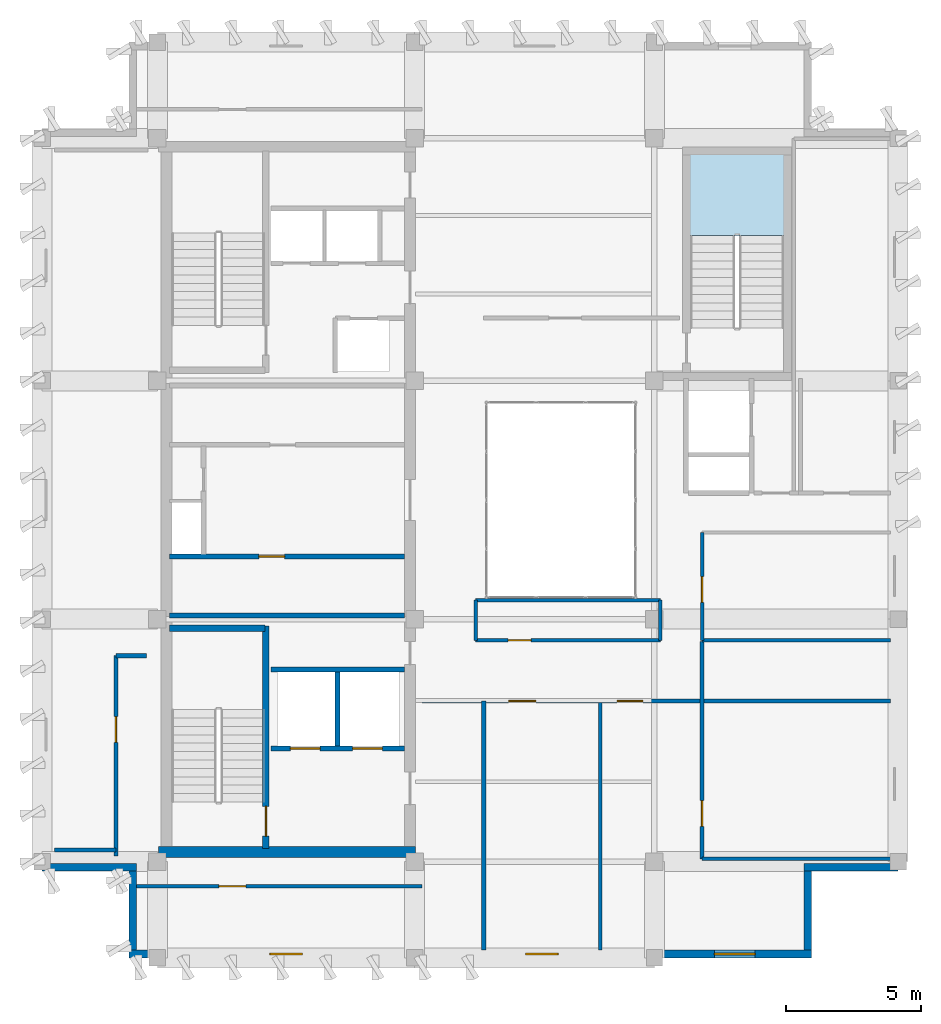
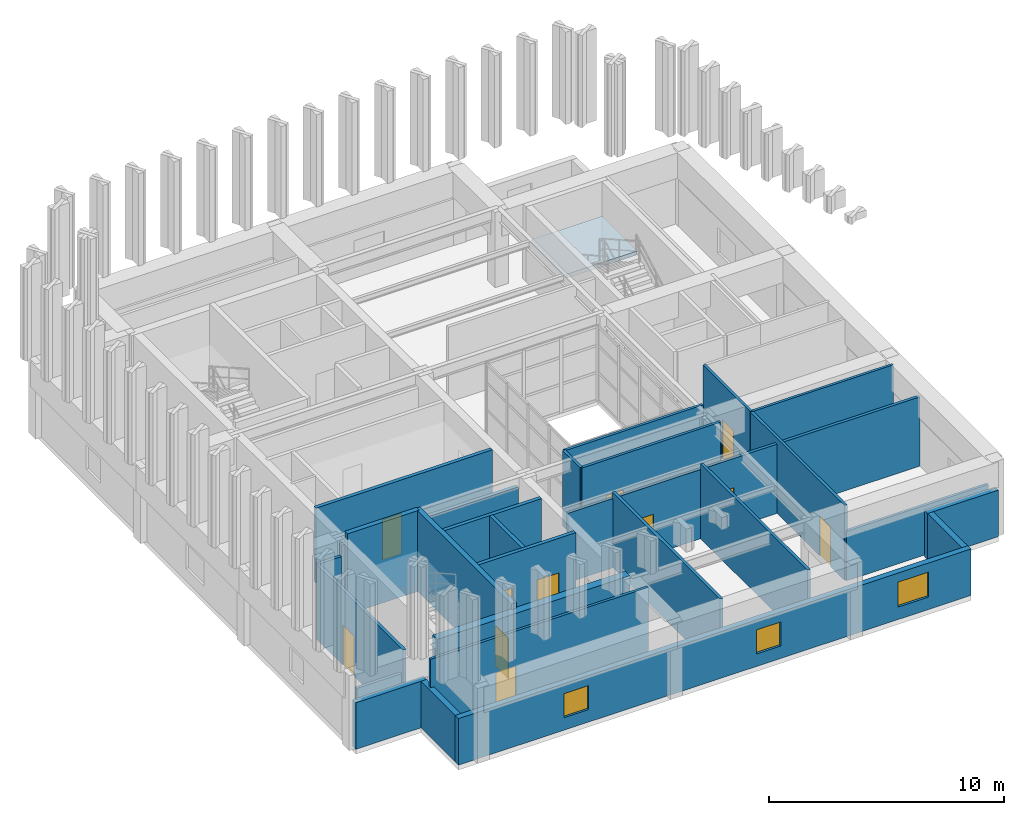
# One storey, part 6 of 11: 28 walls, 11 doors, 3 windows, 1 slab, 14 openings, 1 element without a shape of its own.
"""IFC4 building model written with IfcOpenShell, lengths in metres."""

from ifc_helpers import new_model, si_unit, direction, frame, frame_2d, origin, place, context, subcontext, project, spatial, polyline, rectangle, outline, extrude, material, layer, layer_set, type_object, element, fill, aggregate, save


model = new_model("IFC4")

# Units and contexts
model_context = context("Model", 3, precision=1e-05, world=origin(), true_north=direction((0.0, 1.0)))
body_context = subcontext(model_context, "Body", "Model", "MODEL_VIEW")
ifc_project = project(units=[si_unit("LENGTHUNIT", "METRE"), si_unit("AREAUNIT", "SQUARE_METRE"), si_unit("VOLUMEUNIT", "CUBIC_METRE"), si_unit("PLANEANGLEUNIT", "RADIAN"), si_unit("MASSUNIT", "GRAM", prefix="KILO")], contexts=[model_context])

# Site, building, storey
site_placement = place(None, origin())
site = spatial("IfcSite", under=ifc_project, at=site_placement, CompositionType="ELEMENT")
building_placement = place(site_placement, origin())
building = spatial("IfcBuilding", under=site, at=building_placement, Name="Kundavana Baori Tower", CompositionType="ELEMENT")
storey_placement = place(building_placement, frame((0.0, 0.0, 350.5)))
storey = spatial("IfcBuildingStorey", under=building, at=storey_placement, Name="L87", CompositionType="ELEMENT", Elevation=350.5)

# Stair, slab
ifc_material_1 = material(Name="Concrete C40/50", Category="concrete")
stair_type = type_object("IfcStairType", Name="STR-DOG-1650", PredefinedType="HALF_TURN_STAIR", material=ifc_material_1)
stair_placement = place(storey_placement, origin())
stair = element("IfcStair", 1, at=stair_placement, inside=storey, type_object=stair_type, Name="L87 Protected Exit Stair ST3", PredefinedType="HALF_TURN_STAIR")
ifc_material_2 = material(Name="Concrete C40/50", Category="concrete")
ifc_layer_1 = layer(ifc_material_2, 0.199951171875, Name="SLB-LND-200")
ifc_layer_set_1 = layer_set([ifc_layer_1], Name="Concrete C40/50")
slab_type = type_object("IfcSlabType", Name="SLB-LND-200", PredefinedType="LANDING", material=ifc_layer_set_1)
slab_placement = place(storey_placement, frame((0.0, 0.0, 1.89990234375)))
slab = element("IfcSlab", 2, at=slab_placement, type_object=slab_type, Name="ST3 landing 1", PredefinedType="LANDING", context=body_context, shape_type="SweptSolid", body=[
    extrude(outline(polyline([(38.580078125, 38.360107421875), (38.580078125, 41.35009765625), (35.1201171875, 41.35009765625), (35.1201171875, 38.360107421875), (38.580078125, 38.360107421875)])), origin(), (0.0, 0.0, 1.0), 0.2001953125),
])
aggregate(stair, [slab])

# Wall
ifc_material_3 = material(Name="Concrete C50/60", Category="concrete")
ifc_layer_2 = layer(ifc_material_3, 0.39990234375, Name="WL-CORE-400")
ifc_layer_set_2 = layer_set([ifc_layer_2], Name="Concrete C50/60")
wall_type_1 = type_object("IfcWallType", Name="WL-CORE-400", PredefinedType="SHEAR", material=ifc_layer_set_2)
wall_1_placement = place(storey_placement, frame((15.5, 15.610107421875, 0.0), z_axis=(0.0, 0.0, 1.0), x_axis=(1.0, 0.0, 0.0)))
element("IfcWall", 3, at=wall_1_placement, inside=storey, type_object=wall_type_1, Name="L87 Offset Core South Shear Wall", PredefinedType="SHEAR", context=body_context, shape_type="SweptSolid", body=[
    extrude(rectangle(XDim=9.47998046875, YDim=0.39990234375, at=frame_2d((4.739990234375, 0.0))), origin(), (0.0, 0.0, 1.0), 3.89990234375),
])

# Wall, opening, door
wall_2_placement = place(storey_placement, frame((19.4599609375, 15.739990234375, 0.0), z_axis=(0.0, 0.0, 1.0), x_axis=(0.0, 1.0, 0.0)))
wall_2 = element("IfcWall", 4, at=wall_2_placement, inside=storey, type_object=wall_type_1, Name="WL-L87-ST1-E", PredefinedType="SHEAR", context=body_context, shape_type="SweptSolid", body=[
    extrude(rectangle(XDim=8.199951171875, YDim=0.239990234375, at=frame_2d((4.10009765625, 0.0))), origin(), (0.0, 0.0, 1.0), 4.199951171875),
])
opening_1_placement = place(wall_2_placement, frame((0.449951171875, 0.0, 0.0)))
opening_1 = element("IfcOpeningElement", 5, at=opening_1_placement, cuts=wall_2, Name="Opening FD-110", PredefinedType="OPENING", context=body_context, shape_type="SweptSolid", body=[
    extrude(rectangle(XDim=1.10009765625, YDim=2.10009765625, at=frame_2d((0.550048828125, 1.050048828125))), frame((0.0, 0.1298828125, 0.0), z_axis=(0.0, -1.0, 0.0), x_axis=(1.0, 0.0, 0.0)), (0.0, 0.0, 1.0), 0.260009765625),
])
ifc_material_4 = material(Name="Galvanised Steel Fire-Rated Door Leaf", Category="steel")
door_type_1 = type_object("IfcDoorType", Name="DR-FD120-1100", OperationType="NOTDEFINED", PredefinedType="DOOR", material=ifc_material_4)
door_1_placement = place(opening_1_placement, origin())
door_1 = element("IfcDoor", 6, at=door_1_placement, inside=storey, type_object=door_type_1, Name="DR-L87-ST1", OperationType="SINGLE_SWING_LEFT", OverallHeight=2.10009765625, OverallWidth=1.10009765625, PredefinedType="DOOR", context=body_context, shape_type="SweptSolid", body=[
    extrude(rectangle(XDim=1.10009765625, YDim=2.10009765625, at=frame_2d((0.550048828125, 1.050048828125))), frame((0.0, 0.02490234375, 0.0), z_axis=(0.0, -1.0, 0.0), x_axis=(1.0, 0.0, 0.0)), (0.0, 0.0, 1.0), 0.050048828125),
])
fill(opening_1, door_1)

# Wall
wall_3_placement = place(storey_placement, frame((15.89990234375, 23.860107421875, 0.0), z_axis=(0.0, 0.0, 1.0), x_axis=(1.0, 0.0, 0.0)))
element("IfcWall", 7, at=wall_3_placement, inside=storey, type_object=wall_type_1, Name="WL-L87-ST1-N", PredefinedType="SHEAR", context=body_context, shape_type="SweptSolid", body=[
    extrude(rectangle(XDim=3.52001953125, YDim=0.239990234375, at=frame_2d((1.760009765625, 0.0))), origin(), (0.0, 0.0, 1.0), 4.199951171875),
])

# Wall, openings, windows
ifc_material_5 = material(Name="Red-Buff Dholpur Sandstone Cladding on Concrete C40/50", Category="masonry")
ifc_layer_3 = layer(ifc_material_5, 0.280029296875, Name="WL-EXT-SAND-280")
ifc_layer_set_3 = layer_set([ifc_layer_3], Name="Red-Buff Dholpur Sandstone Cladding on Concrete C40/50")
wall_type_2 = type_object("IfcWallType", Name="WL-EXT-SAND-280", PredefinedType="STANDARD", material=ifc_layer_set_3)
wall_4_placement = place(storey_placement, frame((14.39990234375, 11.840087890625, 0.0), z_axis=(0.0, 0.0, 1.0), x_axis=(1.0, 0.0, 0.0)))
wall_4 = element("IfcWall", 8, at=wall_4_placement, inside=storey, type_object=wall_type_2, Name="L87 Exterior Insulated Facade Wall 01", PredefinedType="STANDARD", context=body_context, shape_type="SweptSolid", body=[
    extrude(rectangle(XDim=25.2001953125, YDim=0.280029296875, at=frame_2d((12.60009765625, 0.0))), origin(), (0.0, 0.0, 1.0), 2.419921875),
])
opening_2_placement = place(wall_4_placement, frame((5.199951171875, 0.0, 0.64990234375)))
opening_2 = element("IfcOpeningElement", 9, at=opening_2_placement, cuts=wall_4, Name="Opening W-12", PredefinedType="OPENING", context=body_context, shape_type="SweptSolid", body=[
    extrude(rectangle(XDim=1.199951171875, YDim=1.25, at=frame_2d((0.60009765625, 0.625))), frame((0.0, 0.14990234375, 0.0), z_axis=(0.0, -1.0, 0.0), x_axis=(1.0, 0.0, 0.0)), (0.0, 0.0, 1.0), 0.300048828125),
])
opening_3_placement = place(wall_4_placement, frame((14.64990234375, 0.0, 0.64990234375)))
opening_3 = element("IfcOpeningElement", 10, at=opening_3_placement, cuts=wall_4, Name="Opening W-12", PredefinedType="OPENING", context=body_context, shape_type="SweptSolid", body=[
    extrude(rectangle(XDim=1.199951171875, YDim=1.25, at=frame_2d((0.60009765625, 0.625))), frame((0.0, 0.14990234375, 0.0), z_axis=(0.0, -1.0, 0.0), x_axis=(1.0, 0.0, 0.0)), (0.0, 0.0, 1.0), 0.300048828125),
])
opening_4_placement = place(wall_4_placement, frame((21.614990234375, 0.0, 0.64990234375)))
opening_4 = element("IfcOpeningElement", 11, at=opening_4_placement, cuts=wall_4, Name="Opening W-11", PredefinedType="OPENING", context=body_context, shape_type="SweptSolid", body=[
    extrude(rectangle(XDim=1.5, YDim=1.300048828125, at=frame_2d((0.75, 0.64990234375))), frame((0.0, 0.14990234375, 0.0), z_axis=(0.0, -1.0, 0.0), x_axis=(1.0, 0.0, 0.0)), (0.0, 0.0, 1.0), 0.300048828125),
])
ifc_material_6 = material(Name="Double-Glazed Solar-Control Low-E Insulated Glass", Category="glass")
window_type_1 = type_object("IfcWindowType", Name="WIN-TRN-1200x1250", PartitioningType="SINGLE_PANEL", PredefinedType="WINDOW", material=ifc_material_6)
window_1_placement = place(opening_2_placement, origin())
window_1 = element("IfcWindow", 12, at=window_1_placement, inside=storey, type_object=window_type_1, Name="L87 Recessed Loggia Window S-1", OverallHeight=1.25, OverallWidth=1.199951171875, PartitioningType="SINGLE_PANEL", PredefinedType="WINDOW", context=body_context, shape_type="SweptSolid", body=[
    extrude(rectangle(XDim=1.199951171875, YDim=1.25, at=frame_2d((0.60009765625, 0.625))), frame((0.0, 0.030029296875, 0.0), z_axis=(0.0, -1.0, 0.0), x_axis=(1.0, 0.0, 0.0)), (0.0, 0.0, 1.0), 0.06005859375),
])
fill(opening_2, window_1)
window_2_placement = place(opening_3_placement, origin())
window_2 = element("IfcWindow", 13, at=window_2_placement, inside=storey, type_object=window_type_1, Name="L87 Recessed Loggia Window S-3", OverallHeight=1.25, OverallWidth=1.199951171875, PartitioningType="SINGLE_PANEL", PredefinedType="WINDOW", context=body_context, shape_type="SweptSolid", body=[
    extrude(rectangle(XDim=1.199951171875, YDim=1.25, at=frame_2d((0.60009765625, 0.625))), frame((0.0, 0.030029296875, 0.0), z_axis=(0.0, -1.0, 0.0), x_axis=(1.0, 0.0, 0.0)), (0.0, 0.0, 1.0), 0.06005859375),
])
fill(opening_3, window_2)
ifc_material_7 = material(Name="Double-Glazed Solar-Control Low-E Insulated Glass", Category="glass")
window_type_2 = type_object("IfcWindowType", Name="WIN-TRN-1500x1300", PartitioningType="SINGLE_PANEL", PredefinedType="WINDOW", material=ifc_material_7)
window_3_placement = place(opening_4_placement, origin())
window_3 = element("IfcWindow", 14, at=window_3_placement, inside=storey, type_object=window_type_2, Name="L87 Recessed Loggia Window S-4", OverallHeight=1.300048828125, OverallWidth=1.5, PartitioningType="SINGLE_PANEL", PredefinedType="WINDOW", context=body_context, shape_type="SweptSolid", body=[
    extrude(rectangle(XDim=1.5, YDim=1.300048828125, at=frame_2d((0.75, 0.64990234375))), frame((0.0, 0.030029296875, 0.0), z_axis=(0.0, -1.0, 0.0), x_axis=(1.0, 0.0, 0.0)), (0.0, 0.0, 1.0), 0.06005859375),
])
fill(opening_4, window_3)

# Walls
wall_5_placement = place(storey_placement, frame((39.4599609375, 11.97998046875, 0.0), z_axis=(0.0, 0.0, 1.0), x_axis=(0.0, 1.0, 0.0)))
element("IfcWall", 15, at=wall_5_placement, inside=storey, type_object=wall_type_2, Name="L87 Exterior Insulated Facade Wall 02", PredefinedType="STANDARD", context=body_context, shape_type="SweptSolid", body=[
    extrude(rectangle(XDim=2.919921875, YDim=0.280029296875, at=frame_2d((1.4599609375, 0.0))), origin(), (0.0, 0.0, 1.0), 2.419921875),
])
for number, where, z_axis, x_axis, name in (
    (16, (39.320068359375, 15.0400390625, 0.0), (0.0, 0.0, 1.0), (1.0, 0.0, 0.0), "L87 Exterior Insulated Facade Wall 03"),
    (17, (11.199951171875, 15.0400390625, 0.0), (0.0, 0.0, 1.0), (1.0, 0.0, 0.0), "L87 Exterior Insulated Facade Wall 11"),
):
    element("IfcWall", number, at=place(storey_placement, frame(where, z_axis=z_axis, x_axis=x_axis)), inside=storey, type_object=wall_type_2, Name=name, PredefinedType="STANDARD", context=body_context, shape_type="SweptSolid", body=[
        extrude(rectangle(XDim=3.47998046875, YDim=0.280029296875, at=frame_2d((1.739990234375, 0.0))), origin(), (0.0, 0.0, 1.0), 2.419921875),
    ])
wall_6_placement = place(storey_placement, frame((14.5400390625, 14.89990234375, 0.0), z_axis=(0.0, 0.0, 1.0), x_axis=(0.0, -1.0, 0.0)))
element("IfcWall", 18, at=wall_6_placement, inside=storey, type_object=wall_type_2, Name="L87 Exterior Insulated Facade Wall 12", PredefinedType="STANDARD", context=body_context, shape_type="SweptSolid", body=[
    extrude(rectangle(XDim=2.919921875, YDim=0.280029296875, at=frame_2d((1.4599609375, 0.0))), origin(), (0.0, 0.0, 1.0), 2.419921875),
])

# Wall, opening, door
ifc_material_8 = material(Name="Acoustic Gypsum Plasterboard on Galvanised Steel Studs", Category="steel")
ifc_layer_4 = layer(ifc_material_8, 0.135009765625, Name="WL-PART-135")
ifc_layer_set_4 = layer_set([ifc_layer_4], Name="Acoustic Gypsum Plasterboard on Galvanised Steel Studs")
wall_type_3 = type_object("IfcWallType", Name="WL-PART-135", PredefinedType="PARTITIONING", material=ifc_layer_set_4)
wall_7_placement = place(storey_placement, frame((27.199951171875, 23.419921875, 0.0), z_axis=(0.0, 0.0, 1.0), x_axis=(1.0, 0.0, 0.0)))
wall_7 = element("IfcWall", 19, at=wall_7_placement, inside=storey, type_object=wall_type_3, Name="WL-L87-ALS", PredefinedType="PARTITIONING", context=body_context, shape_type="SweptSolid", body=[
    extrude(rectangle(XDim=6.820068359375, YDim=0.135009765625, at=frame_2d((3.41015625, 0.0))), origin(), (0.0, 0.0, 1.0), 3.89990234375),
])
opening_5_placement = place(wall_7_placement, frame((1.199951171875, 0.0, 0.0)))
opening_5 = element("IfcOpeningElement", 20, at=opening_5_placement, cuts=wall_7, Name="Opening WD-085", PredefinedType="OPENING", context=body_context, shape_type="SweptSolid", body=[
    extrude(rectangle(XDim=0.85009765625, YDim=2.050048828125, at=frame_2d((0.425048828125, 1.02490234375))), frame((0.0, 0.07763671875, 0.0), z_axis=(0.0, -1.0, 0.0), x_axis=(1.0, 0.0, 0.0)), (0.0, 0.0, 1.0), 0.155029296875),
])
ifc_material_9 = material(Name="Engineered Teak Solid-Core Timber Veneer", Category="wood")
door_type_2 = type_object("IfcDoorType", Name="DR-WET-850", OperationType="NOTDEFINED", PredefinedType="DOOR", material=ifc_material_9)
door_2_placement = place(opening_5_placement, origin())
door_2 = element("IfcDoor", 21, at=door_2_placement, inside=storey, type_object=door_type_2, Name="DR-L87-OALC", OperationType="SINGLE_SWING_LEFT", OverallHeight=2.050048828125, OverallWidth=0.85009765625, PredefinedType="DOOR", context=body_context, shape_type="SweptSolid", body=[
    extrude(rectangle(XDim=0.85009765625, YDim=2.050048828125, at=frame_2d((0.425048828125, 1.02490234375))), frame((0.0, 0.02490234375, 0.0), z_axis=(0.0, -1.0, 0.0), x_axis=(1.0, 0.0, 0.0)), (0.0, 0.0, 1.0), 0.050048828125),
])
fill(opening_5, door_2)

# Walls
wall_8_placement = place(storey_placement, frame((27.199951171875, 24.89990234375, 0.0), z_axis=(0.0, 0.0, 1.0), x_axis=(1.0, 0.0, 0.0)))
element("IfcWall", 22, at=wall_8_placement, inside=storey, type_object=wall_type_3, Name="WL-L87-ALN", PredefinedType="PARTITIONING", context=body_context, shape_type="SweptSolid", body=[
    extrude(rectangle(XDim=6.820068359375, YDim=0.135009765625, at=frame_2d((3.41015625, 0.0))), origin(), (0.0, 0.0, 1.0), 3.89990234375),
])
wall_9_placement = place(storey_placement, frame((27.199951171875, 23.419921875, 0.0), z_axis=(0.0, 0.0, 1.0), x_axis=(0.0, 1.0, 0.0)))
element("IfcWall", 23, at=wall_9_placement, inside=storey, type_object=wall_type_3, Name="WL-L87-ALW", PredefinedType="PARTITIONING", context=body_context, shape_type="SweptSolid", body=[
    extrude(rectangle(XDim=1.47998046875, YDim=0.135009765625, at=frame_2d((0.739990234375, 0.0))), origin(), (0.0, 0.0, 1.0), 3.89990234375),
])
wall_10_placement = place(storey_placement, frame((34.02001953125, 23.419921875, 0.0), z_axis=(0.0, 0.0, 1.0), x_axis=(0.0, 1.0, 0.0)))
element("IfcWall", 24, at=wall_10_placement, inside=storey, type_object=wall_type_3, Name="WL-L87-ALE", PredefinedType="PARTITIONING", context=body_context, shape_type="SweptSolid", body=[
    extrude(rectangle(XDim=1.47998046875, YDim=0.135009765625, at=frame_2d((0.739990234375, 0.0))), origin(), (0.0, 0.0, 1.0), 3.300048828125),
])

# Wall, opening, door
wall_11_placement = place(storey_placement, frame((14.52001953125, 14.340087890625, 0.0), z_axis=(0.0, 0.0, 1.0), x_axis=(1.0, 0.0, 0.0)))
wall_11 = element("IfcWall", 25, at=wall_11_placement, inside=storey, type_object=wall_type_3, Name="WL-L87-SC", PredefinedType="PARTITIONING", context=body_context, shape_type="SweptSolid", body=[
    extrude(rectangle(XDim=10.699951171875, YDim=0.135009765625, at=frame_2d((5.35009765625, 0.0))), origin(), (0.0, 0.0, 1.0), 3.89990234375),
])
opening_6_placement = place(wall_11_placement, frame((3.199951171875, 0.0, 0.0)))
opening_6 = element("IfcOpeningElement", 26, at=opening_6_placement, cuts=wall_11, Name="Opening ID-100", PredefinedType="OPENING", context=body_context, shape_type="SweptSolid", body=[
    extrude(rectangle(XDim=1.0, YDim=2.080078125, at=frame_2d((0.5, 1.0400390625))), frame((0.0, 0.07763671875, 0.0), z_axis=(0.0, -1.0, 0.0), x_axis=(1.0, 0.0, 0.0)), (0.0, 0.0, 1.0), 0.155029296875),
])
ifc_material_10 = material(Name="Engineered Teak Solid-Core Timber Veneer", Category="wood")
door_type_3 = type_object("IfcDoorType", Name="DR-INT-1000", OperationType="NOTDEFINED", PredefinedType="DOOR", material=ifc_material_10)
door_3_placement = place(opening_6_placement, frame((1.0, 0.0, 0.0), z_axis=(0.0, 0.0, 1.0), x_axis=(-1.0, 0.0, 0.0)))
door_3 = element("IfcDoor", 27, at=door_3_placement, inside=storey, type_object=door_type_3, Name="DR-L87-OBSW", OperationType="SINGLE_SWING_LEFT", OverallHeight=2.080078125, OverallWidth=1.0, PredefinedType="DOOR", context=body_context, shape_type="SweptSolid", body=[
    extrude(rectangle(XDim=1.0, YDim=2.080078125, at=frame_2d((0.5, 1.0400390625))), frame((0.0, 0.02490234375, 0.0), z_axis=(0.0, -1.0, 0.0), x_axis=(1.0, 0.0, 0.0)), (0.0, 0.0, 1.0), 0.050048828125),
])
fill(opening_6, door_3)

# Wall
wall_12_placement = place(storey_placement, frame((31.800048828125, 11.97998046875, 0.0), z_axis=(0.0, 0.0, 1.0), x_axis=(0.0, 1.0, 0.0)))
element("IfcWall", 28, at=wall_12_placement, inside=storey, type_object=wall_type_3, Name="WL-L87-OBSD", PredefinedType="PARTITIONING", context=body_context, shape_type="SweptSolid", body=[
    extrude(rectangle(XDim=9.14013671875, YDim=0.135009765625, at=frame_2d((4.570068359375, 0.0))), origin(), (0.0, 0.0, 1.0), 3.89990234375),
])

# Wall, opening, door
wall_13_placement = place(storey_placement, frame((35.56005859375, 15.35009765625, 0.0), z_axis=(0.0, 0.0, 1.0), x_axis=(0.0, 1.0, 0.0)))
wall_13 = element("IfcWall", 29, at=wall_13_placement, inside=storey, type_object=wall_type_3, Name="WL-L87-SEW", PredefinedType="PARTITIONING", context=body_context, shape_type="SweptSolid", body=[
    extrude(rectangle(XDim=8.02978515625, YDim=0.135009765625, at=frame_2d((4.014892578125, 0.0))), origin(), (0.0, 0.0, 1.0), 3.89990234375),
])
opening_7_placement = place(wall_13_placement, frame((1.199951171875, 0.0, 0.0)))
opening_7 = element("IfcOpeningElement", 30, at=opening_7_placement, cuts=wall_13, Name="Opening ID-095", PredefinedType="OPENING", context=body_context, shape_type="SweptSolid", body=[
    extrude(rectangle(XDim=0.949951171875, YDim=2.080078125, at=frame_2d((0.47509765625, 1.0400390625))), frame((0.0, 0.07763671875, 0.0), z_axis=(0.0, -1.0, 0.0), x_axis=(1.0, 0.0, 0.0)), (0.0, 0.0, 1.0), 0.155029296875),
])
ifc_material_11 = material(Name="Engineered Teak Solid-Core Timber Veneer", Category="wood")
door_type_4 = type_object("IfcDoorType", Name="DR-INT-950", OperationType="NOTDEFINED", PredefinedType="DOOR", material=ifc_material_11)
door_4_placement = place(opening_7_placement, origin())
door_4 = element("IfcDoor", 31, at=door_4_placement, inside=storey, type_object=door_type_4, Name="DR-L87-OBSE", OperationType="SINGLE_SWING_LEFT", OverallHeight=2.080078125, OverallWidth=0.949951171875, PredefinedType="DOOR", context=body_context, shape_type="SweptSolid", body=[
    extrude(rectangle(XDim=0.949951171875, YDim=2.080078125, at=frame_2d((0.47509765625, 1.0400390625))), frame((0.0, 0.02490234375, 0.0), z_axis=(0.0, -1.0, 0.0), x_axis=(1.0, 0.0, 0.0)), (0.0, 0.0, 1.0), 0.050048828125),
])
fill(opening_7, door_4)

# Wall
wall_14_placement = place(storey_placement, frame((35.56005859375, 15.35009765625, 0.0), z_axis=(0.0, 0.0, 1.0), x_axis=(1.0, 0.0, 0.0)))
element("IfcWall", 32, at=wall_14_placement, inside=storey, type_object=wall_type_3, Name="WL-L87-SES", PredefinedType="PARTITIONING", context=body_context, shape_type="SweptSolid", body=[
    extrude(rectangle(XDim=6.9599609375, YDim=0.135009765625, at=frame_2d((3.47998046875, 0.0))), origin(), (0.0, 0.0, 1.0), 2.580078125),
])

# Wall, opening, door
ifc_material_12 = material(Name="Fire-Rated Gypsum Drywall on Galvanised Steel Studs", Category="steel")
ifc_layer_5 = layer(ifc_material_12, 0.14990234375, Name="WL-PART-150")
ifc_layer_set_5 = layer_set([ifc_layer_5], Name="Fire-Rated Gypsum Drywall on Galvanised Steel Studs")
wall_type_4 = type_object("IfcWallType", Name="WL-PART-150", PredefinedType="PARTITIONING", material=ifc_layer_set_5)
wall_15_placement = place(storey_placement, frame((13.919921875, 15.449951171875, 0.0), z_axis=(0.0, 0.0, 1.0), x_axis=(0.0, 1.0, 0.0)))
wall_15 = element("IfcWall", 33, at=wall_15_placement, inside=storey, type_object=wall_type_4, Name="WL-L87-SLWE", PredefinedType="PARTITIONING", context=body_context, shape_type="SweptSolid", body=[
    extrude(rectangle(XDim=7.400146484375, YDim=0.14990234375, at=frame_2d((3.7001953125, 0.0))), origin(), (0.0, 0.0, 1.0), 3.89990234375),
])
opening_8_placement = place(wall_15_placement, frame((4.199951171875, 0.0, 0.0)))
opening_8 = element("IfcOpeningElement", 34, at=opening_8_placement, cuts=wall_15, Name="Opening ID-095", PredefinedType="OPENING", context=body_context, shape_type="SweptSolid", body=[
    extrude(rectangle(XDim=0.949951171875, YDim=2.080078125, at=frame_2d((0.47509765625, 1.0400390625))), frame((0.0, 0.0849609375, 0.0), z_axis=(0.0, -1.0, 0.0), x_axis=(1.0, 0.0, 0.0)), (0.0, 0.0, 1.0), 0.169921875),
])
door_5_placement = place(opening_8_placement, origin())
door_5 = element("IfcDoor", 35, at=door_5_placement, inside=storey, type_object=door_type_4, Name="DR-L87-SLW", OperationType="SINGLE_SWING_LEFT", OverallHeight=2.080078125, OverallWidth=0.949951171875, PredefinedType="DOOR", context=body_context, shape_type="SweptSolid", body=[
    extrude(rectangle(XDim=0.949951171875, YDim=2.080078125, at=frame_2d((0.47509765625, 1.0400390625))), frame((0.0, 0.02490234375, 0.0), z_axis=(0.0, -1.0, 0.0), x_axis=(1.0, 0.0, 0.0)), (0.0, 0.0, 1.0), 0.050048828125),
])
fill(opening_8, door_5)

# Walls
wall_16_placement = place(storey_placement, frame((13.919921875, 22.85009765625, 0.0), z_axis=(0.0, 0.0, 1.0), x_axis=(1.0, 0.0, 0.0)))
element("IfcWall", 36, at=wall_16_placement, inside=storey, type_object=wall_type_4, Name="WL-L87-SLWN1", PredefinedType="PARTITIONING", context=body_context, shape_type="SweptSolid", body=[
    extrude(rectangle(XDim=1.130126953125, YDim=0.14990234375, at=frame_2d((0.56494140625, 0.0))), origin(), (0.0, 0.0, 1.0), 3.89990234375),
])
wall_17_placement = place(storey_placement, frame((11.659912109375, 15.679931640625, 0.0), z_axis=(0.0, 0.0, 1.0), x_axis=(1.0, 0.0, 0.0)))
element("IfcWall", 37, at=wall_17_placement, inside=storey, type_object=wall_type_4, Name="WL-L87-SLWS", PredefinedType="PARTITIONING", context=body_context, shape_type="SweptSolid", body=[
    extrude(rectangle(XDim=2.260009765625, YDim=0.14990234375, at=frame_2d((1.1298828125, 0.0))), origin(), (0.0, 0.0, 1.0), 2.580078125),
])

# Wall, openings, doors
wall_18_placement = place(storey_placement, frame((25.219970703125, 21.179931640625, 0.0), z_axis=(0.0, 0.0, 1.0), x_axis=(1.0, 0.0, 0.0)))
wall_18 = element("IfcWall", 38, at=wall_18_placement, inside=storey, type_object=wall_type_4, Name="WL-L87-SLS", PredefinedType="PARTITIONING", context=body_context, shape_type="SweptSolid", body=[
    extrude(rectangle(XDim=17.300048828125, YDim=0.14990234375, at=frame_2d((8.64990234375, 0.0))), origin(), (0.0, 0.0, 1.0), 3.60009765625),
])
opening_9_placement = place(wall_18_placement, frame((3.199951171875, 0.0, 0.0)))
opening_9 = element("IfcOpeningElement", 39, at=opening_9_placement, cuts=wall_18, Name="Opening ID-100", PredefinedType="OPENING", context=body_context, shape_type="SweptSolid", body=[
    extrude(rectangle(XDim=1.0, YDim=2.080078125, at=frame_2d((0.5, 1.0400390625))), frame((0.0, 0.0849609375, 0.0), z_axis=(0.0, -1.0, 0.0), x_axis=(1.0, 0.0, 0.0)), (0.0, 0.0, 1.0), 0.169921875),
])
opening_10_placement = place(wall_18_placement, frame((7.199951171875, 0.0, 0.0)))
opening_10 = element("IfcOpeningElement", 40, at=opening_10_placement, cuts=wall_18, Name="Opening ID-095", PredefinedType="OPENING", context=body_context, shape_type="SweptSolid", body=[
    extrude(rectangle(XDim=0.949951171875, YDim=2.080078125, at=frame_2d((0.47509765625, 1.0400390625))), frame((0.0, 0.0849609375, 0.0), z_axis=(0.0, -1.0, 0.0), x_axis=(1.0, 0.0, 0.0)), (0.0, 0.0, 1.0), 0.169921875),
])
door_6_placement = place(opening_9_placement, frame((1.0, 0.0, 0.0), z_axis=(0.0, 0.0, 1.0), x_axis=(-1.0, 0.0, 0.0)))
door_6 = element("IfcDoor", 41, at=door_6_placement, inside=storey, type_object=door_type_3, Name="DR-L87-OBSS1", OperationType="SINGLE_SWING_LEFT", OverallHeight=2.080078125, OverallWidth=1.0, PredefinedType="DOOR", context=body_context, shape_type="SweptSolid", body=[
    extrude(rectangle(XDim=1.0, YDim=2.080078125, at=frame_2d((0.5, 1.0400390625))), frame((0.0, 0.02490234375, 0.0), z_axis=(0.0, -1.0, 0.0), x_axis=(1.0, 0.0, 0.0)), (0.0, 0.0, 1.0), 0.050048828125),
])
fill(opening_9, door_6)
door_7_placement = place(opening_10_placement, frame((0.949951171875, 0.0, 0.0), z_axis=(0.0, 0.0, 1.0), x_axis=(-1.0, 0.0, 0.0)))
door_7 = element("IfcDoor", 42, at=door_7_placement, inside=storey, type_object=door_type_4, Name="DR-L87-OBSS2", OperationType="SINGLE_SWING_RIGHT", OverallHeight=2.080078125, OverallWidth=0.949951171875, PredefinedType="DOOR", context=body_context, shape_type="SweptSolid", body=[
    extrude(rectangle(XDim=0.949951171875, YDim=2.080078125, at=frame_2d((0.47509765625, 1.0400390625))), frame((0.0, 0.02490234375, 0.0), z_axis=(0.0, -1.0, 0.0), x_axis=(1.0, 0.0, 0.0)), (0.0, 0.0, 1.0), 0.050048828125),
])
fill(opening_10, door_7)

# Wall
wall_19_placement = place(storey_placement, frame((27.5, 11.97998046875, 0.0), z_axis=(0.0, 0.0, 1.0), x_axis=(0.0, 1.0, 0.0)))
element("IfcWall", 43, at=wall_19_placement, inside=storey, type_object=wall_type_4, Name="WL-L87-SLSW", PredefinedType="PARTITIONING", context=body_context, shape_type="SweptSolid", body=[
    extrude(rectangle(XDim=9.199951171875, YDim=0.14990234375, at=frame_2d((4.60009765625, 0.0))), origin(), (0.0, 0.0, 1.0), 3.89990234375),
])

# Wall, openings, doors
ifc_material_13 = material(Name="Autoclaved Aerated Concrete Blockwork Masonry", Category="masonry")
ifc_layer_6 = layer(ifc_material_13, 0.179931640625, Name="WL-SHAFT-180")
ifc_layer_set_6 = layer_set([ifc_layer_6], Name="Autoclaved Aerated Concrete Blockwork Masonry")
wall_type_5 = type_object("IfcWallType", Name="WL-SHAFT-180", PredefinedType="SOLIDWALL", material=ifc_layer_set_6)
wall_20_placement = place(storey_placement, frame((19.639892578125, 19.419921875, 0.0), z_axis=(0.0, 0.0, 1.0), x_axis=(1.0, 0.0, 0.0)))
wall_20 = element("IfcWall", 44, at=wall_20_placement, inside=storey, type_object=wall_type_5, Name="WL-L87-FFL-S", PredefinedType="SOLIDWALL", context=body_context, shape_type="SweptSolid", body=[
    extrude(rectangle(XDim=4.940185546875, YDim=0.179931640625, at=frame_2d((2.47021484375, 0.0))), origin(), (0.0, 0.0, 1.0), 3.89990234375),
])
opening_11_placement = place(wall_20_placement, frame((0.719970703125, 0.0, 0.0)))
opening_11 = element("IfcOpeningElement", 45, at=opening_11_placement, cuts=wall_20, Name="Opening LD-110", PredefinedType="OPENING", context=body_context, shape_type="SweptSolid", body=[
    extrude(rectangle(XDim=1.10009765625, YDim=2.10009765625, at=frame_2d((0.550048828125, 1.050048828125))), frame((0.0, 0.10009765625, 0.0), z_axis=(0.0, -1.0, 0.0), x_axis=(1.0, 0.0, 0.0)), (0.0, 0.0, 1.0), 0.199951171875),
])
opening_12_placement = place(wall_20_placement, frame((3.02001953125, 0.0, 0.0)))
opening_12 = element("IfcOpeningElement", 46, at=opening_12_placement, cuts=wall_20, Name="Opening LD-110", PredefinedType="OPENING", context=body_context, shape_type="SweptSolid", body=[
    extrude(rectangle(XDim=1.10009765625, YDim=2.10009765625, at=frame_2d((0.550048828125, 1.050048828125))), frame((0.0, 0.10009765625, 0.0), z_axis=(0.0, -1.0, 0.0), x_axis=(1.0, 0.0, 0.0)), (0.0, 0.0, 1.0), 0.199951171875),
])
ifc_material_14 = material(Name="Galvanised Steel Fire-Rated Door Leaf", Category="steel")
door_type_5 = type_object("IfcDoorType", Name="DR-SLIDE-LD1100", OperationType="NOTDEFINED", PredefinedType="DOOR", material=ifc_material_14)
door_8_placement = place(opening_11_placement, origin())
door_8 = element("IfcDoor", 47, at=door_8_placement, inside=storey, type_object=door_type_5, Name="DR-L87-LD-FFL-1", OperationType="DOUBLE_DOOR_SLIDING", OverallHeight=2.10009765625, OverallWidth=1.10009765625, PredefinedType="DOOR", context=body_context, shape_type="SweptSolid", body=[
    extrude(rectangle(XDim=1.10009765625, YDim=2.10009765625, at=frame_2d((0.550048828125, 1.050048828125))), frame((0.0, 0.02490234375, 0.0), z_axis=(0.0, -1.0, 0.0), x_axis=(1.0, 0.0, 0.0)), (0.0, 0.0, 1.0), 0.050048828125),
])
fill(opening_11, door_8)
door_9_placement = place(opening_12_placement, origin())
door_9 = element("IfcDoor", 48, at=door_9_placement, inside=storey, type_object=door_type_5, Name="DR-L87-LD-FFL-2", OperationType="DOUBLE_DOOR_SLIDING", OverallHeight=2.10009765625, OverallWidth=1.10009765625, PredefinedType="DOOR", context=body_context, shape_type="SweptSolid", body=[
    extrude(rectangle(XDim=1.10009765625, YDim=2.10009765625, at=frame_2d((0.550048828125, 1.050048828125))), frame((0.0, 0.02490234375, 0.0), z_axis=(0.0, -1.0, 0.0), x_axis=(1.0, 0.0, 0.0)), (0.0, 0.0, 1.0), 0.050048828125),
])
fill(opening_12, door_9)

# Walls
wall_21_placement = place(storey_placement, frame((22.10009765625, 19.510009765625, 0.0), z_axis=(0.0, 0.0, 1.0), x_axis=(0.0, 1.0, 0.0)))
element("IfcWall", 49, at=wall_21_placement, inside=storey, type_object=wall_type_5, Name="WL-L87-FFL-MID", PredefinedType="SOLIDWALL", context=body_context, shape_type="SweptSolid", body=[
    extrude(rectangle(XDim=2.739990234375, YDim=0.179931640625, at=frame_2d((1.3701171875, 0.0))), origin(), (0.0, 0.0, 1.0), 3.89990234375),
])
wall_22_placement = place(storey_placement, frame((19.639892578125, 22.340087890625, 0.0), z_axis=(0.0, 0.0, 1.0), x_axis=(1.0, 0.0, 0.0)))
element("IfcWall", 50, at=wall_22_placement, inside=storey, type_object=wall_type_5, Name="WL-L87-FFL-N", PredefinedType="SOLIDWALL", context=body_context, shape_type="SweptSolid", body=[
    extrude(rectangle(XDim=4.940185546875, YDim=0.179931640625, at=frame_2d((2.47021484375, 0.0))), origin(), (0.0, 0.0, 1.0), 3.89990234375),
])

# Wall, opening, door
wall_23_placement = place(storey_placement, frame((15.89990234375, 26.52001953125, 0.0), z_axis=(0.0, 0.0, 1.0), x_axis=(1.0, 0.0, 0.0)))
wall_23 = element("IfcWall", 51, at=wall_23_placement, inside=storey, type_object=wall_type_5, Name="WL-L87-LPLOW-N", PredefinedType="SOLIDWALL", context=body_context, shape_type="SweptSolid", body=[
    extrude(rectangle(XDim=8.68017578125, YDim=0.179931640625, at=frame_2d((4.340087890625, 0.0))), origin(), (0.0, 0.0, 1.0), 3.89990234375),
])
opening_13_placement = place(wall_23_placement, frame((3.300048828125, 0.0, 0.0)))
opening_13 = element("IfcOpeningElement", 52, at=opening_13_placement, cuts=wall_23, Name="Opening FD-095", PredefinedType="OPENING", context=body_context, shape_type="SweptSolid", body=[
    extrude(rectangle(XDim=0.949951171875, YDim=2.10009765625, at=frame_2d((0.47509765625, 1.050048828125))), frame((0.0, 0.10009765625, 0.0), z_axis=(0.0, -1.0, 0.0), x_axis=(1.0, 0.0, 0.0)), (0.0, 0.0, 1.0), 0.199951171875),
])
ifc_material_15 = material(Name="Engineered Teak Fire-Rated Timber Door Leaf", Category="wood")
door_type_6 = type_object("IfcDoorType", Name="DR-FD60-950", OperationType="NOTDEFINED", PredefinedType="DOOR", material=ifc_material_15)
door_10_placement = place(opening_13_placement, origin())
door_10 = element("IfcDoor", 53, at=door_10_placement, inside=storey, type_object=door_type_6, Name="DR-L87-FRLOW1", OperationType="SINGLE_SWING_LEFT", OverallHeight=2.10009765625, OverallWidth=0.949951171875, PredefinedType="DOOR", context=body_context, shape_type="SweptSolid", body=[
    extrude(rectangle(XDim=0.949951171875, YDim=2.10009765625, at=frame_2d((0.47509765625, 1.050048828125))), frame((0.0, 0.02490234375, 0.0), z_axis=(0.0, -1.0, 0.0), x_axis=(1.0, 0.0, 0.0)), (0.0, 0.0, 1.0), 0.050048828125),
])
fill(opening_13, door_10)

# Walls
wall_24_placement = place(storey_placement, frame((15.89990234375, 24.330078125, 0.0), z_axis=(0.0, 0.0, 1.0), x_axis=(1.0, 0.0, 0.0)))
element("IfcWall", 54, at=wall_24_placement, inside=storey, type_object=wall_type_5, Name="WL-L87-LPLOW-S", PredefinedType="SOLIDWALL", context=body_context, shape_type="SweptSolid", body=[
    extrude(rectangle(XDim=8.68017578125, YDim=0.179931640625, at=frame_2d((4.340087890625, 0.0))), origin(), (0.0, 0.0, 1.0), 3.300048828125),
])
ifc_material_16 = material(Name="Autoclaved Aerated Concrete Blockwork Masonry", Category="masonry")
ifc_layer_7 = layer(ifc_material_16, 0.125, Name="WL-WET-120")
ifc_layer_set_7 = layer_set([ifc_layer_7], Name="Autoclaved Aerated Concrete Blockwork Masonry")
wall_type_6 = type_object("IfcWallType", Name="WL-WET-120", PredefinedType="PLUMBINGWALL", material=ifc_layer_set_7)
wall_25_placement = place(storey_placement, frame((35.56005859375, 23.419921875, 0.0), z_axis=(0.0, 0.0, 1.0), x_axis=(1.0, 0.0, 0.0)))
element("IfcWall", 55, at=wall_25_placement, inside=storey, type_object=wall_type_6, Name="WL-L87-WCS", PredefinedType="PLUMBINGWALL", context=body_context, shape_type="SweptSolid", body=[
    extrude(rectangle(XDim=6.9599609375, YDim=0.125, at=frame_2d((3.47998046875, 0.0))), origin(), (0.0, 0.0, 1.0), 3.89990234375),
])

# Wall, opening, door
wall_26_placement = place(storey_placement, frame((35.56005859375, 23.419921875, 0.0), z_axis=(0.0, 0.0, 1.0), x_axis=(0.0, 1.0, 0.0)))
wall_26 = element("IfcWall", 56, at=wall_26_placement, inside=storey, type_object=wall_type_6, Name="WL-L87-WCW", PredefinedType="PLUMBINGWALL", context=body_context, shape_type="SweptSolid", body=[
    extrude(rectangle(XDim=3.97998046875, YDim=0.125, at=frame_2d((1.989990234375, 0.0))), origin(), (0.0, 0.0, 1.0), 3.89990234375),
])
opening_14_placement = place(wall_26_placement, frame((1.39990234375, 0.0, 0.0)))
opening_14 = element("IfcOpeningElement", 57, at=opening_14_placement, cuts=wall_26, Name="Opening WD-095", PredefinedType="OPENING", context=body_context, shape_type="SweptSolid", body=[
    extrude(rectangle(XDim=0.949951171875, YDim=2.050048828125, at=frame_2d((0.47509765625, 1.02490234375))), frame((0.0, 0.072509765625, 0.0), z_axis=(0.0, -1.0, 0.0), x_axis=(1.0, 0.0, 0.0)), (0.0, 0.0, 1.0), 0.14501953125),
])
ifc_material_17 = material(Name="Engineered Teak Solid-Core Timber Veneer", Category="wood")
door_type_7 = type_object("IfcDoorType", Name="DR-WET-950", OperationType="NOTDEFINED", PredefinedType="DOOR", material=ifc_material_17)
door_11_placement = place(opening_14_placement, origin())
door_11 = element("IfcDoor", 58, at=door_11_placement, inside=storey, type_object=door_type_7, Name="DR-L87-WC", OperationType="SINGLE_SWING_LEFT", OverallHeight=2.050048828125, OverallWidth=0.949951171875, PredefinedType="DOOR", context=body_context, shape_type="SweptSolid", body=[
    extrude(rectangle(XDim=0.949951171875, YDim=2.050048828125, at=frame_2d((0.47509765625, 1.02490234375))), frame((0.0, 0.02490234375, 0.0), z_axis=(0.0, -1.0, 0.0), x_axis=(1.0, 0.0, 0.0)), (0.0, 0.0, 1.0), 0.050048828125),
])
fill(opening_14, door_11)

save(model, "model.ifc")
